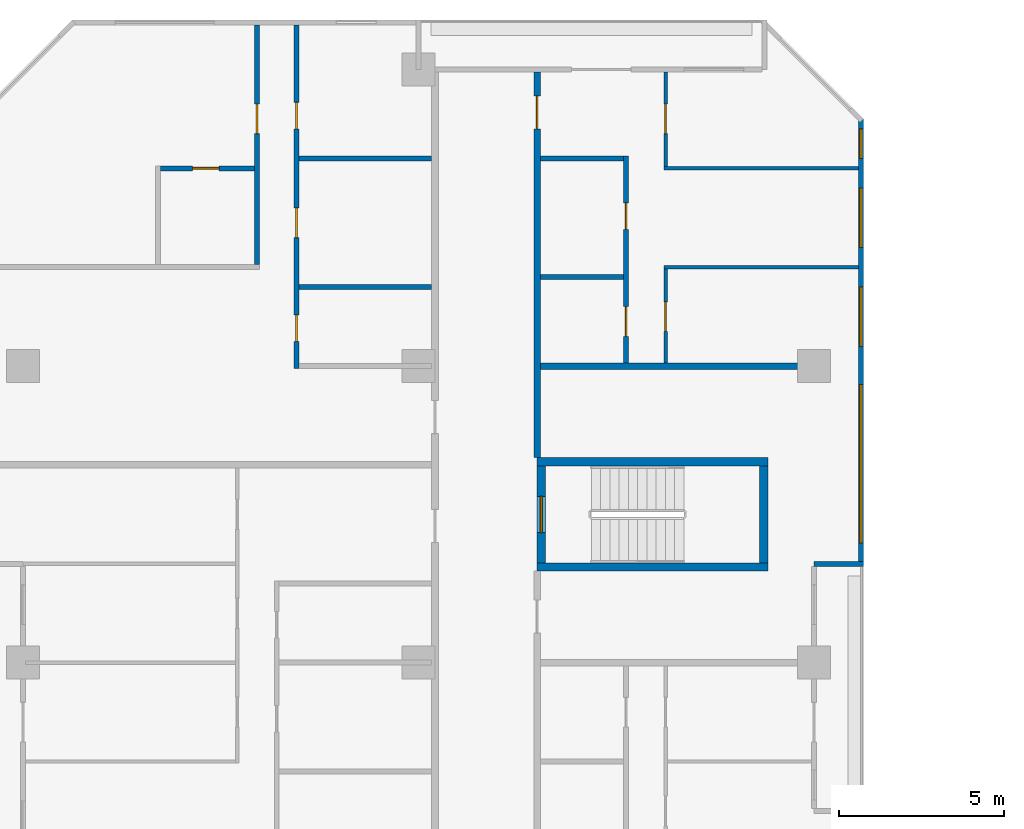
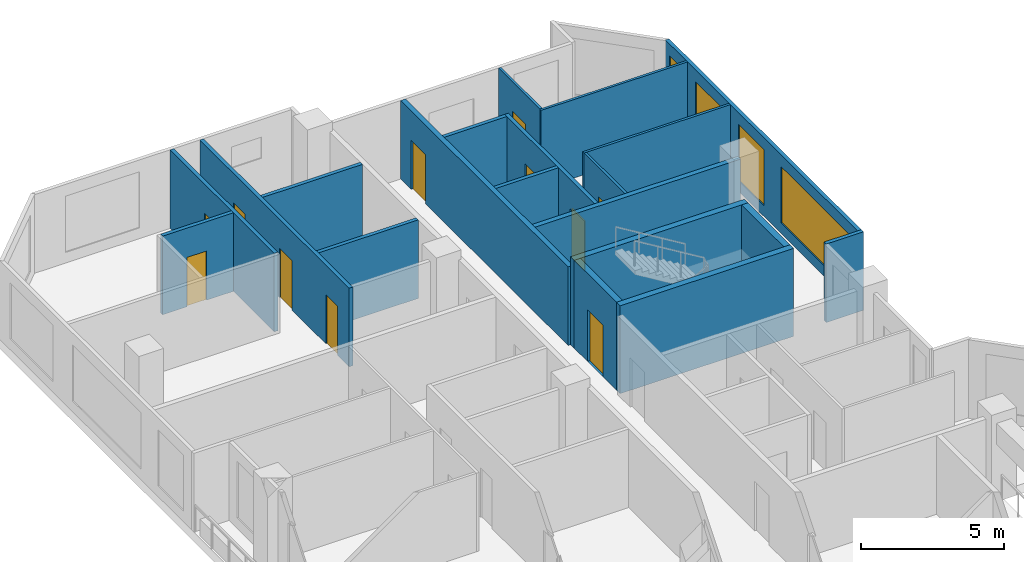
# One storey, part 11 of 15: 20 walls, 11 doors, 4 windows, 15 openings.
"""IFC4 building model written with IfcOpenShell, lengths in metres."""

from ifc_helpers import new_model, si_unit, direction, frame, frame_2d, origin, place, context, subcontext, project, spatial, rectangle, extrude, material, layer, layer_set, type_object, element, fill, save


model = new_model("IFC4")

# Units and contexts
model_context = context("Model", 3, precision=1e-05, world=origin(), true_north=direction((0.0, 1.0)))
body_context = subcontext(model_context, "Body", "Model", "MODEL_VIEW")
ifc_project = project(units=[si_unit("LENGTHUNIT", "METRE"), si_unit("AREAUNIT", "SQUARE_METRE"), si_unit("VOLUMEUNIT", "CUBIC_METRE"), si_unit("PLANEANGLEUNIT", "RADIAN"), si_unit("MASSUNIT", "GRAM", prefix="KILO")], contexts=[model_context])

# Site, building, storey
site_placement = place(None, origin())
site = spatial("IfcSite", under=ifc_project, at=site_placement, CompositionType="ELEMENT")
building_placement = place(site_placement, origin())
building = spatial("IfcBuilding", under=site, at=building_placement, Name="Chenar Terraces", CompositionType="ELEMENT")
storey_placement = place(building_placement, frame((0.0, 0.0, 118.14990234375)))
storey = spatial("IfcBuildingStorey", under=building, at=storey_placement, Name="L27", CompositionType="ELEMENT", Elevation=118.14990234375)

# Walls
ifc_material_1 = material(Name="Concrete C70/85", Category="concrete")
ifc_layer_1 = layer(ifc_material_1, 0.25)
ifc_layer_set_1 = layer_set([ifc_layer_1], Name="Concrete C70/85")
wall_type_1 = type_object("IfcWallType", Name="Core wall 250 Concrete C70/85", PredefinedType="SHEAR", material=ifc_layer_set_1)
for number, where, z_axis, x_axis, name in (
    (1, (15.60009765625, 47.89990234375, 0.0), (0.0, 0.0, 1.0), (1.0, 0.0, 0.0), "Core wall ST4_S L27"),
    (2, (15.60009765625, 51.10009765625, 0.0), (0.0, 0.0, 1.0), (1.0, 0.0, 0.0), "Core wall ST4_N L27"),
):
    element("IfcWall", number, at=place(storey_placement, frame(where, z_axis=z_axis, x_axis=x_axis)), inside=storey, type_object=wall_type_1, Name=name, PredefinedType="SHEAR", context=body_context, shape_type="SweptSolid", body=[
        extrude(rectangle(XDim=7.0, YDim=0.25, at=frame_2d((3.5, 0.0))), origin(), (0.0, 0.0, 1.0), 3.75),
    ])

# Wall, opening, door
wall_1_placement = place(storey_placement, frame((15.72509765625, 48.02490234375, 0.0), z_axis=(0.0, 0.0, 1.0), x_axis=(0.0, 1.0, 0.0)))
wall_1 = element("IfcWall", 3, at=wall_1_placement, inside=storey, type_object=wall_type_1, Name="Core wall ST4_W L27", PredefinedType="SHEAR", context=body_context, shape_type="SweptSolid", body=[
    extrude(rectangle(XDim=2.9501953125, YDim=0.25, at=frame_2d((1.47509765625, 0.0))), origin(), (0.0, 0.0, 1.0), 3.75),
])
opening_1_placement = place(wall_1_placement, frame((0.925048828125, 0.0, 0.0)))
opening_1 = element("IfcOpeningElement", 4, at=opening_1_placement, cuts=wall_1, Name="Opening DL27-C9", PredefinedType="OPENING", context=body_context, shape_type="SweptSolid", body=[
    extrude(rectangle(XDim=1.10009765625, YDim=2.199951171875, at=frame_2d((0.550048828125, 1.10009765625))), frame((0.0, 0.135009765625, 0.0), z_axis=(0.0, -1.0, 0.0), x_axis=(1.0, 0.0, 0.0)), (0.0, 0.0, 1.0), 0.27001953125),
])
ifc_material_2 = material(Name="Steel-framed fire-resisting door leaf", Category="steel")
door_type_1 = type_object("IfcDoorType", Name="Stair fire door FD60 1100 x 2200", OperationType="SINGLE_SWING_LEFT", PredefinedType="DOOR", material=ifc_material_2)
door_1_placement = place(opening_1_placement, frame((1.10009765625, 0.0, 0.0), z_axis=(0.0, 0.0, 1.0), x_axis=(-1.0, 0.0, 0.0)))
door_1 = element("IfcDoor", 5, at=door_1_placement, inside=storey, type_object=door_type_1, Name="Stair door DL27-C9", OperationType="SINGLE_SWING_RIGHT", OverallHeight=2.199951171875, OverallWidth=1.10009765625, PredefinedType="DOOR", context=body_context, shape_type="SweptSolid", body=[
    extrude(rectangle(XDim=1.10009765625, YDim=2.199951171875, at=frame_2d((0.550048828125, 1.10009765625))), frame((0.0, 0.02490234375, 0.0), z_axis=(0.0, -1.0, 0.0), x_axis=(1.0, 0.0, 0.0)), (0.0, 0.0, 1.0), 0.050048828125),
])
fill(opening_1, door_1)

# Wall
wall_2_placement = place(storey_placement, frame((22.47509765625, 48.02490234375, 0.0), z_axis=(0.0, 0.0, 1.0), x_axis=(0.0, 1.0, 0.0)))
element("IfcWall", 6, at=wall_2_placement, inside=storey, type_object=wall_type_1, Name="Core wall ST4_E L27", PredefinedType="SHEAR", context=body_context, shape_type="SweptSolid", body=[
    extrude(rectangle(XDim=2.9501953125, YDim=0.25, at=frame_2d((1.47509765625, 0.0))), origin(), (0.0, 0.0, 1.0), 3.75),
])

# Wall, opening, door
ifc_material_3 = material(Name="Gypsum board on steel studs with fire boards", Category="steel")
ifc_layer_2 = layer(ifc_material_3, 0.199951171875)
ifc_layer_set_2 = layer_set([ifc_layer_2], Name="Gypsum board on steel studs with fire boards")
wall_type_2 = type_object("IfcWallType", Name="Corridor wall 200", PredefinedType="PARTITIONING", material=ifc_layer_set_2)
wall_3_placement = place(storey_placement, frame((15.60009765625, 51.22509765625, 0.0), z_axis=(0.0, 0.0, 1.0), x_axis=(0.0, 1.0, 0.0)))
wall_3 = element("IfcWall", 7, at=wall_3_placement, inside=storey, type_object=wall_type_2, Name="Partition L27-035", PredefinedType="PARTITIONING", context=body_context, shape_type="SweptSolid", body=[
    extrude(rectangle(XDim=11.700927734375, YDim=0.199951171875, at=frame_2d((5.8505859375, 0.0))), origin(), (0.0, 0.0, 1.0), 3.35009765625),
])
opening_2_placement = place(wall_3_placement, frame((9.97509765625, 0.0, 0.0)))
opening_2 = element("IfcOpeningElement", 8, at=opening_2_placement, cuts=wall_3, Name="Opening DL27-38", PredefinedType="OPENING", context=body_context, shape_type="SweptSolid", body=[
    extrude(rectangle(XDim=1.0, YDim=2.10009765625, at=frame_2d((0.5, 1.050048828125))), frame((0.0, 0.10986328125, 0.0), z_axis=(0.0, -1.0, 0.0), x_axis=(1.0, 0.0, 0.0)), (0.0, 0.0, 1.0), 0.219970703125),
])
ifc_material_4 = material(Name="Steel-framed fire-resisting door leaf", Category="steel")
door_type_2 = type_object("IfcDoorType", Name="Fire door FD30S 1000 x 2100", OperationType="SINGLE_SWING_LEFT", PredefinedType="DOOR", material=ifc_material_4)
door_2_placement = place(opening_2_placement, frame((1.0, 0.0, 0.0), z_axis=(0.0, 0.0, 1.0), x_axis=(-1.0, 0.0, 0.0)))
door_2 = element("IfcDoor", 9, at=door_2_placement, inside=storey, type_object=door_type_2, Name="Door DL27-38", OperationType="SINGLE_SWING_LEFT", OverallHeight=2.10009765625, OverallWidth=1.0, PredefinedType="DOOR", context=body_context, shape_type="SweptSolid", body=[
    extrude(rectangle(XDim=1.0, YDim=2.10009765625, at=frame_2d((0.5, 1.050048828125))), frame((0.0, 0.02490234375, 0.0), z_axis=(0.0, -1.0, 0.0), x_axis=(1.0, 0.0, 0.0)), (0.0, 0.0, 1.0), 0.050048828125),
])
fill(opening_2, door_2)

# Wall, openings, windows
ifc_material_5 = material(Name="Aluminium framed glazing", Category="aluminium")
ifc_layer_3 = layer(ifc_material_5, 0.14990234375)
ifc_layer_set_3 = layer_set([ifc_layer_3], Name="Aluminium framed glazing")
wall_type_3 = type_object("IfcWallType", Name="Glazed flush facade wall 150", PredefinedType="SOLIDWALL", material=ifc_layer_set_3)
wall_4_placement = place(storey_placement, frame((25.425048828125, 48.074951171875, 0.0), z_axis=(0.0, 0.0, 1.0), x_axis=(0.0, 1.0, 0.0)))
wall_4 = element("IfcWall", 10, at=wall_4_placement, inside=storey, type_object=wall_type_3, Name="Glazed flush facade wall", PredefinedType="SOLIDWALL", context=body_context, shape_type="SweptSolid", body=[
    extrude(rectangle(XDim=13.425048828125, YDim=0.14990234375, at=frame_2d((6.71240234375, 0.0))), origin(), (0.0, 0.0, 1.0), 3.35009765625),
])
opening_3_placement = place(wall_4_placement, frame((0.5625, 0.0, 0.449951171875)))
opening_3 = element("IfcOpeningElement", 11, at=opening_3_placement, cuts=wall_4, Name="Opening W480x240", PredefinedType="OPENING", context=body_context, shape_type="SweptSolid", body=[
    extrude(rectangle(XDim=4.800048828125, YDim=2.39990234375, at=frame_2d((2.39990234375, 1.199951171875))), frame((0.0, 0.0849609375, 0.0), z_axis=(0.0, -1.0, 0.0), x_axis=(1.0, 0.0, 0.0)), (0.0, 0.0, 1.0), 0.169921875),
])
opening_4_placement = place(wall_4_placement, frame((6.52490234375, 0.0, 0.449951171875)))
opening_4 = element("IfcOpeningElement", 12, at=opening_4_placement, cuts=wall_4, Name="Opening W180x240", PredefinedType="OPENING", context=body_context, shape_type="SweptSolid", body=[
    extrude(rectangle(XDim=1.800048828125, YDim=2.39990234375, at=frame_2d((0.89990234375, 1.199951171875))), frame((0.0, 0.0849609375, 0.0), z_axis=(0.0, -1.0, 0.0), x_axis=(1.0, 0.0, 0.0)), (0.0, 0.0, 1.0), 0.169921875),
])
opening_5_placement = place(wall_4_placement, frame((9.52490234375, 0.0, 0.449951171875)))
opening_5 = element("IfcOpeningElement", 13, at=opening_5_placement, cuts=wall_4, Name="Opening W180x240", PredefinedType="OPENING", context=body_context, shape_type="SweptSolid", body=[
    extrude(rectangle(XDim=1.800048828125, YDim=2.39990234375, at=frame_2d((0.89990234375, 1.199951171875))), frame((0.0, 0.0849609375, 0.0), z_axis=(0.0, -1.0, 0.0), x_axis=(1.0, 0.0, 0.0)), (0.0, 0.0, 1.0), 0.169921875),
])
opening_6_placement = place(wall_4_placement, frame((12.22509765625, 0.0, 0.449951171875)))
opening_6 = element("IfcOpeningElement", 14, at=opening_6_placement, cuts=wall_4, Name="Opening W90x240", PredefinedType="OPENING", context=body_context, shape_type="SweptSolid", body=[
    extrude(rectangle(XDim=0.89990234375, YDim=2.39990234375, at=frame_2d((0.449951171875, 1.199951171875))), frame((0.0, 0.0849609375, 0.0), z_axis=(0.0, -1.0, 0.0), x_axis=(1.0, 0.0, 0.0)), (0.0, 0.0, 1.0), 0.169921875),
])
ifc_material_6 = material(Name="Low emissivity double glazing, aluminium frame", Category="aluminium")
window_type_1 = type_object("IfcWindowType", Name="Fixed light 1800 x 2400", PartitioningType="SINGLE_PANEL", PredefinedType="WINDOW", material=ifc_material_6)
window_1_placement = place(opening_4_placement, origin())
window_1 = element("IfcWindow", 15, at=window_1_placement, inside=storey, type_object=window_type_1, Name="Window", OverallHeight=2.39990234375, OverallWidth=1.800048828125, PartitioningType="SINGLE_PANEL", PredefinedType="WINDOW", context=body_context, shape_type="SweptSolid", body=[
    extrude(rectangle(XDim=1.800048828125, YDim=2.39990234375, at=frame_2d((0.89990234375, 1.199951171875))), frame((0.0, 0.030029296875, 0.0), z_axis=(0.0, -1.0, 0.0), x_axis=(1.0, 0.0, 0.0)), (0.0, 0.0, 1.0), 0.06005859375),
])
fill(opening_4, window_1)
window_2_placement = place(opening_5_placement, origin())
window_2 = element("IfcWindow", 16, at=window_2_placement, inside=storey, type_object=window_type_1, Name="Window", OverallHeight=2.39990234375, OverallWidth=1.800048828125, PartitioningType="SINGLE_PANEL", PredefinedType="WINDOW", context=body_context, shape_type="SweptSolid", body=[
    extrude(rectangle(XDim=1.800048828125, YDim=2.39990234375, at=frame_2d((0.89990234375, 1.199951171875))), frame((0.0, 0.030029296875, 0.0), z_axis=(0.0, -1.0, 0.0), x_axis=(1.0, 0.0, 0.0)), (0.0, 0.0, 1.0), 0.06005859375),
])
fill(opening_5, window_2)
ifc_material_7 = material(Name="Low emissivity double glazing, aluminium frame", Category="aluminium")
window_type_2 = type_object("IfcWindowType", Name="Fixed light 4800 x 2400", PartitioningType="SINGLE_PANEL", PredefinedType="WINDOW", material=ifc_material_7)
window_3_placement = place(opening_3_placement, origin())
window_3 = element("IfcWindow", 17, at=window_3_placement, inside=storey, type_object=window_type_2, Name="Window", OverallHeight=2.39990234375, OverallWidth=4.800048828125, PartitioningType="SINGLE_PANEL", PredefinedType="WINDOW", context=body_context, shape_type="SweptSolid", body=[
    extrude(rectangle(XDim=4.800048828125, YDim=2.39990234375, at=frame_2d((2.39990234375, 1.199951171875))), frame((0.0, 0.030029296875, 0.0), z_axis=(0.0, -1.0, 0.0), x_axis=(1.0, 0.0, 0.0)), (0.0, 0.0, 1.0), 0.06005859375),
])
fill(opening_3, window_3)
ifc_material_8 = material(Name="Low emissivity double glazing, aluminium frame", Category="aluminium")
window_type_3 = type_object("IfcWindowType", Name="Fixed light 900 x 2400", PartitioningType="SINGLE_PANEL", PredefinedType="WINDOW", material=ifc_material_8)
window_4_placement = place(opening_6_placement, origin())
window_4 = element("IfcWindow", 18, at=window_4_placement, inside=storey, type_object=window_type_3, Name="Window", OverallHeight=2.39990234375, OverallWidth=0.89990234375, PartitioningType="SINGLE_PANEL", PredefinedType="WINDOW", context=body_context, shape_type="SweptSolid", body=[
    extrude(rectangle(XDim=0.89990234375, YDim=2.39990234375, at=frame_2d((0.449951171875, 1.199951171875))), frame((0.0, 0.030029296875, 0.0), z_axis=(0.0, -1.0, 0.0), x_axis=(1.0, 0.0, 0.0)), (0.0, 0.0, 1.0), 0.06005859375),
])
fill(opening_6, window_4)

# Walls
ifc_material_9 = material(Name="Gypsum board on steel studs", Category="steel")
ifc_layer_4 = layer(ifc_material_9, 0.10009765625)
ifc_layer_set_4 = layer_set([ifc_layer_4], Name="Gypsum board on steel studs")
wall_type_4 = type_object("IfcWallType", Name="Gypsum partition 100", PredefinedType="PARTITIONING", material=ifc_layer_set_4)
for number, where, z_axis, x_axis, name in (
    (19, (19.449951171875, 57.0, 0.0), (0.0, 0.0, 1.0), (1.0, 0.0, 0.0), "Partition L27-048"),
    (20, (19.449951171875, 60.0, 0.0), (0.0, 0.0, 1.0), (1.0, 0.0, 0.0), "Partition L27-049"),
):
    element("IfcWall", number, at=place(storey_placement, frame(where, z_axis=z_axis, x_axis=x_axis)), inside=storey, type_object=wall_type_4, Name=name, PredefinedType="PARTITIONING", context=body_context, shape_type="SweptSolid", body=[
        extrude(rectangle(XDim=5.900146484375, YDim=0.10009765625, at=frame_2d((2.9501953125, 0.0))), origin(), (0.0, 0.0, 1.0), 3.35009765625),
    ])

# Wall, opening, door
wall_5_placement = place(storey_placement, frame((19.5, 54.10009765625, 0.0), z_axis=(0.0, 0.0, 1.0), x_axis=(0.0, 1.0, 0.0)))
wall_5 = element("IfcWall", 21, at=wall_5_placement, inside=storey, type_object=wall_type_4, Name="Partition L27-051", PredefinedType="PARTITIONING", context=body_context, shape_type="SweptSolid", body=[
    extrude(rectangle(XDim=2.849853515625, YDim=0.10009765625, at=frame_2d((1.4248046875, 0.0))), origin(), (0.0, 0.0, 1.0), 3.35009765625),
])
opening_7_placement = place(wall_5_placement, frame((0.949951171875, 0.0, 0.0)))
opening_7 = element("IfcOpeningElement", 22, at=opening_7_placement, cuts=wall_5, Name="Opening DL27-35", PredefinedType="OPENING", context=body_context, shape_type="SweptSolid", body=[
    extrude(rectangle(XDim=0.89990234375, YDim=2.10009765625, at=frame_2d((0.449951171875, 1.050048828125))), frame((0.0, 0.06005859375, 0.0), z_axis=(0.0, -1.0, 0.0), x_axis=(1.0, 0.0, 0.0)), (0.0, 0.0, 1.0), 0.1201171875),
])
ifc_material_10 = material(Name="Veneered timber door leaf", Category="wood")
door_type_3 = type_object("IfcDoorType", Name="Door 900 x 2100", OperationType="SINGLE_SWING_LEFT", PredefinedType="DOOR", material=ifc_material_10)
door_3_placement = place(opening_7_placement, frame((0.89990234375, 0.0, 0.0), z_axis=(0.0, 0.0, 1.0), x_axis=(-1.0, 0.0, 0.0)))
door_3 = element("IfcDoor", 23, at=door_3_placement, inside=storey, type_object=door_type_3, Name="Door DL27-35", OperationType="SINGLE_SWING_LEFT", OverallHeight=2.10009765625, OverallWidth=0.89990234375, PredefinedType="DOOR", context=body_context, shape_type="SweptSolid", body=[
    extrude(rectangle(XDim=0.89990234375, YDim=2.10009765625, at=frame_2d((0.449951171875, 1.050048828125))), frame((0.0, 0.02490234375, 0.0), z_axis=(0.0, -1.0, 0.0), x_axis=(1.0, 0.0, 0.0)), (0.0, 0.0, 1.0), 0.050048828125),
])
fill(opening_7, door_3)

wall_6_placement = place(storey_placement, frame((19.5, 60.050048828125, 0.0), z_axis=(0.0, 0.0, 1.0), x_axis=(0.0, 1.0, 0.0)))
wall_6 = element("IfcWall", 24, at=wall_6_placement, inside=storey, type_object=wall_type_4, Name="Partition L27-052", PredefinedType="PARTITIONING", context=body_context, shape_type="SweptSolid", body=[
    extrude(rectangle(XDim=2.8759765625, YDim=0.10009765625, at=frame_2d((1.43798828125, 0.0))), origin(), (0.0, 0.0, 1.0), 3.35009765625),
])
opening_8_placement = place(wall_6_placement, frame((1.0, 0.0, 0.0)))
opening_8 = element("IfcOpeningElement", 25, at=opening_8_placement, cuts=wall_6, Name="Opening DL27-36", PredefinedType="OPENING", context=body_context, shape_type="SweptSolid", body=[
    extrude(rectangle(XDim=0.89990234375, YDim=2.10009765625, at=frame_2d((0.449951171875, 1.050048828125))), frame((0.0, 0.06005859375, 0.0), z_axis=(0.0, -1.0, 0.0), x_axis=(1.0, 0.0, 0.0)), (0.0, 0.0, 1.0), 0.1201171875),
])
door_4_placement = place(opening_8_placement, frame((0.89990234375, 0.0, 0.0), z_axis=(0.0, 0.0, 1.0), x_axis=(-1.0, 0.0, 0.0)))
door_4 = element("IfcDoor", 26, at=door_4_placement, inside=storey, type_object=door_type_3, Name="Door DL27-36", OperationType="SINGLE_SWING_LEFT", OverallHeight=2.10009765625, OverallWidth=0.89990234375, PredefinedType="DOOR", context=body_context, shape_type="SweptSolid", body=[
    extrude(rectangle(XDim=0.89990234375, YDim=2.10009765625, at=frame_2d((0.449951171875, 1.050048828125))), frame((0.0, 0.02490234375, 0.0), z_axis=(0.0, -1.0, 0.0), x_axis=(1.0, 0.0, 0.0)), (0.0, 0.0, 1.0), 0.050048828125),
])
fill(opening_8, door_4)

# Walls
ifc_material_11 = material(Name="Terracotta cladding on insulated backing", Category="masonry")
ifc_layer_5 = layer(ifc_material_11, 0.14990234375)
ifc_layer_set_5 = layer_set([ifc_layer_5], Name="Terracotta cladding on insulated backing")
wall_type_5 = type_object("IfcWallType", Name="Loggia return wall 150", PredefinedType="SOLIDWALL", material=ifc_layer_set_5)
wall_7_placement = place(storey_placement, frame((25.5, 48.0, 0.0), z_axis=(0.0, 0.0, 1.0), x_axis=(-1.0, 0.0, 0.0)))
element("IfcWall", 27, at=wall_7_placement, inside=storey, type_object=wall_type_5, Name="Loggia return wall", PredefinedType="SOLIDWALL", context=body_context, shape_type="SweptSolid", body=[
    extrude(rectangle(XDim=1.5, YDim=0.14990234375, at=frame_2d((0.75, 0.0))), origin(), (0.0, 0.0, 1.0), 3.35009765625),
])
ifc_material_12 = material(Name="Twin gypsum board on steel studs with mineral wool", Category="steel")
ifc_layer_6 = layer(ifc_material_12, 0.199951171875)
ifc_layer_set_6 = layer_set([ifc_layer_6], Name="Twin gypsum board on steel studs with mineral wool")
wall_type_6 = type_object("IfcWallType", Name="Unit demising wall 200", PredefinedType="PARTITIONING", material=ifc_layer_set_6)
wall_8_placement = place(storey_placement, frame((15.699951171875, 54.0, 0.0), z_axis=(0.0, 0.0, 1.0), x_axis=(1.0, 0.0, 0.0)))
element("IfcWall", 28, at=wall_8_placement, inside=storey, type_object=wall_type_6, Name="Partition L27-042", PredefinedType="PARTITIONING", context=body_context, shape_type="SweptSolid", body=[
    extrude(rectangle(XDim=8.300048828125, YDim=0.199951171875, at=frame_2d((4.14990234375, 0.0))), origin(), (0.0, 0.0, 1.0), 3.35009765625),
])

# Wall, opening, door
ifc_material_13 = material(Name="Moisture-resistant gypsum board on steel studs", Category="steel")
ifc_layer_7 = layer(ifc_material_13, 0.14990234375)
ifc_layer_set_7 = layer_set([ifc_layer_7], Name="Moisture-resistant gypsum board on steel studs")
wall_type_7 = type_object("IfcWallType", Name="Wet-room partition 150", PredefinedType="PARTITIONING", material=ifc_layer_set_7)
wall_9_placement = place(storey_placement, frame((4.175048828125, 60.0, 0.0), z_axis=(0.0, 0.0, 1.0), x_axis=(1.0, 0.0, 0.0)))
wall_9 = element("IfcWall", 29, at=wall_9_placement, inside=storey, type_object=wall_type_7, Name="Partition L27-013", PredefinedType="PARTITIONING", context=body_context, shape_type="SweptSolid", body=[
    extrude(rectangle(XDim=2.849853515625, YDim=0.14990234375, at=frame_2d((1.4248046875, 0.0))), origin(), (0.0, 0.0, 1.0), 3.35009765625),
])
opening_9_placement = place(wall_9_placement, frame((0.97509765625, 0.0, 0.0)))
opening_9 = element("IfcOpeningElement", 30, at=opening_9_placement, cuts=wall_9, Name="Opening DL27-48", PredefinedType="OPENING", context=body_context, shape_type="SweptSolid", body=[
    extrude(rectangle(XDim=0.800048828125, YDim=2.10009765625, at=frame_2d((0.39990234375, 1.050048828125))), frame((0.0, 0.0849609375, 0.0), z_axis=(0.0, -1.0, 0.0), x_axis=(1.0, 0.0, 0.0)), (0.0, 0.0, 1.0), 0.169921875),
])
ifc_material_14 = material(Name="Veneered timber door leaf", Category="wood")
door_type_4 = type_object("IfcDoorType", Name="Door 800 x 2100", OperationType="SINGLE_SWING_LEFT", PredefinedType="DOOR", material=ifc_material_14)
door_5_placement = place(opening_9_placement, frame((0.800048828125, 0.0, 0.0), z_axis=(0.0, 0.0, 1.0), x_axis=(-1.0, 0.0, 0.0)))
door_5 = element("IfcDoor", 31, at=door_5_placement, inside=storey, type_object=door_type_4, Name="Door DL27-48", OperationType="SINGLE_SWING_RIGHT", OverallHeight=2.10009765625, OverallWidth=0.800048828125, PredefinedType="DOOR", context=body_context, shape_type="SweptSolid", body=[
    extrude(rectangle(XDim=0.800048828125, YDim=2.10009765625, at=frame_2d((0.39990234375, 1.050048828125))), frame((0.0, 0.02490234375, 0.0), z_axis=(0.0, -1.0, 0.0), x_axis=(1.0, 0.0, 0.0)), (0.0, 0.0, 1.0), 0.050048828125),
])
fill(opening_9, door_5)

wall_10_placement = place(storey_placement, frame((7.10009765625, 57.074951171875, 0.0), z_axis=(0.0, 0.0, 1.0), x_axis=(0.0, 1.0, 0.0)))
wall_10 = element("IfcWall", 32, at=wall_10_placement, inside=storey, type_object=wall_type_7, Name="Partition L27-016", PredefinedType="PARTITIONING", context=body_context, shape_type="SweptSolid", body=[
    extrude(rectangle(XDim=7.275146484375, YDim=0.14990234375, at=frame_2d((3.6376953125, 0.0))), origin(), (0.0, 0.0, 1.0), 3.35009765625),
])
opening_10_placement = place(wall_10_placement, frame((3.97509765625, 0.0, 0.0)))
opening_10 = element("IfcOpeningElement", 33, at=opening_10_placement, cuts=wall_10, Name="Opening DL27-47", PredefinedType="OPENING", context=body_context, shape_type="SweptSolid", body=[
    extrude(rectangle(XDim=0.89990234375, YDim=2.10009765625, at=frame_2d((0.449951171875, 1.050048828125))), frame((0.0, 0.0849609375, 0.0), z_axis=(0.0, -1.0, 0.0), x_axis=(1.0, 0.0, 0.0)), (0.0, 0.0, 1.0), 0.169921875),
])
door_6_placement = place(opening_10_placement, origin())
door_6 = element("IfcDoor", 34, at=door_6_placement, inside=storey, type_object=door_type_3, Name="Door DL27-47", OperationType="SINGLE_SWING_LEFT", OverallHeight=2.10009765625, OverallWidth=0.89990234375, PredefinedType="DOOR", context=body_context, shape_type="SweptSolid", body=[
    extrude(rectangle(XDim=0.89990234375, YDim=2.10009765625, at=frame_2d((0.449951171875, 1.050048828125))), frame((0.0, 0.02490234375, 0.0), z_axis=(0.0, -1.0, 0.0), x_axis=(1.0, 0.0, 0.0)), (0.0, 0.0, 1.0), 0.050048828125),
])
fill(opening_10, door_6)

# Wall, openings, doors
wall_11_placement = place(storey_placement, frame((8.300048828125, 53.925048828125, 0.0), z_axis=(0.0, 0.0, 1.0), x_axis=(0.0, 1.0, 0.0)))
wall_11 = element("IfcWall", 35, at=wall_11_placement, inside=storey, type_object=wall_type_7, Name="Partition L27-024", PredefinedType="PARTITIONING", context=body_context, shape_type="SweptSolid", body=[
    extrude(rectangle(XDim=10.425048828125, YDim=0.14990234375, at=frame_2d((5.21240234375, 0.0))), origin(), (0.0, 0.0, 1.0), 3.35009765625),
])
opening_11_placement = place(wall_11_placement, frame((0.824951171875, 0.0, 0.0)))
opening_11 = element("IfcOpeningElement", 36, at=opening_11_placement, cuts=wall_11, Name="Opening DL27-46", PredefinedType="OPENING", context=body_context, shape_type="SweptSolid", body=[
    extrude(rectangle(XDim=0.800048828125, YDim=2.10009765625, at=frame_2d((0.39990234375, 1.050048828125))), frame((0.0, 0.0849609375, 0.0), z_axis=(0.0, -1.0, 0.0), x_axis=(1.0, 0.0, 0.0)), (0.0, 0.0, 1.0), 0.169921875),
])
opening_12_placement = place(wall_11_placement, frame((3.97509765625, 0.0, 0.0)))
opening_12 = element("IfcOpeningElement", 37, at=opening_12_placement, cuts=wall_11, Name="Opening DL27-49", PredefinedType="OPENING", context=body_context, shape_type="SweptSolid", body=[
    extrude(rectangle(XDim=0.89990234375, YDim=2.10009765625, at=frame_2d((0.449951171875, 1.050048828125))), frame((0.0, 0.0849609375, 0.0), z_axis=(0.0, -1.0, 0.0), x_axis=(1.0, 0.0, 0.0)), (0.0, 0.0, 1.0), 0.169921875),
])
opening_13_placement = place(wall_11_placement, frame((7.27490234375, 0.0, 0.0)))
opening_13 = element("IfcOpeningElement", 38, at=opening_13_placement, cuts=wall_11, Name="Opening DL27-50", PredefinedType="OPENING", context=body_context, shape_type="SweptSolid", body=[
    extrude(rectangle(XDim=0.800048828125, YDim=2.10009765625, at=frame_2d((0.39990234375, 1.050048828125))), frame((0.0, 0.0849609375, 0.0), z_axis=(0.0, -1.0, 0.0), x_axis=(1.0, 0.0, 0.0)), (0.0, 0.0, 1.0), 0.169921875),
])
door_7_placement = place(opening_11_placement, frame((0.800048828125, 0.0, 0.0), z_axis=(0.0, 0.0, 1.0), x_axis=(-1.0, 0.0, 0.0)))
door_7 = element("IfcDoor", 39, at=door_7_placement, inside=storey, type_object=door_type_4, Name="Door DL27-46", OperationType="SINGLE_SWING_RIGHT", OverallHeight=2.10009765625, OverallWidth=0.800048828125, PredefinedType="DOOR", context=body_context, shape_type="SweptSolid", body=[
    extrude(rectangle(XDim=0.800048828125, YDim=2.10009765625, at=frame_2d((0.39990234375, 1.050048828125))), frame((0.0, 0.02490234375, 0.0), z_axis=(0.0, -1.0, 0.0), x_axis=(1.0, 0.0, 0.0)), (0.0, 0.0, 1.0), 0.050048828125),
])
fill(opening_11, door_7)
door_8_placement = place(opening_13_placement, frame((0.800048828125, 0.0, 0.0), z_axis=(0.0, 0.0, 1.0), x_axis=(-1.0, 0.0, 0.0)))
door_8 = element("IfcDoor", 40, at=door_8_placement, inside=storey, type_object=door_type_4, Name="Door DL27-50", OperationType="SINGLE_SWING_RIGHT", OverallHeight=2.10009765625, OverallWidth=0.800048828125, PredefinedType="DOOR", context=body_context, shape_type="SweptSolid", body=[
    extrude(rectangle(XDim=0.800048828125, YDim=2.10009765625, at=frame_2d((0.39990234375, 1.050048828125))), frame((0.0, 0.02490234375, 0.0), z_axis=(0.0, -1.0, 0.0), x_axis=(1.0, 0.0, 0.0)), (0.0, 0.0, 1.0), 0.050048828125),
])
fill(opening_13, door_8)
door_9_placement = place(opening_12_placement, frame((0.89990234375, 0.0, 0.0), z_axis=(0.0, 0.0, 1.0), x_axis=(-1.0, 0.0, 0.0)))
door_9 = element("IfcDoor", 41, at=door_9_placement, inside=storey, type_object=door_type_3, Name="Door DL27-49", OperationType="SINGLE_SWING_LEFT", OverallHeight=2.10009765625, OverallWidth=0.89990234375, PredefinedType="DOOR", context=body_context, shape_type="SweptSolid", body=[
    extrude(rectangle(XDim=0.89990234375, YDim=2.10009765625, at=frame_2d((0.449951171875, 1.050048828125))), frame((0.0, 0.02490234375, 0.0), z_axis=(0.0, -1.0, 0.0), x_axis=(1.0, 0.0, 0.0)), (0.0, 0.0, 1.0), 0.050048828125),
])
fill(opening_12, door_9)

# Walls
for number, where, z_axis, x_axis, name in (
    (42, (8.375, 56.39990234375, 0.0), (0.0, 0.0, 1.0), (1.0, 0.0, 0.0), "Partition L27-026"),
    (43, (8.375, 60.300048828125, 0.0), (0.0, 0.0, 1.0), (1.0, 0.0, 0.0), "Partition L27-027"),
):
    element("IfcWall", number, at=place(storey_placement, frame(where, z_axis=z_axis, x_axis=x_axis)), inside=storey, type_object=wall_type_7, Name=name, PredefinedType="PARTITIONING", context=body_context, shape_type="SweptSolid", body=[
        extrude(rectangle(XDim=4.02490234375, YDim=0.14990234375, at=frame_2d((2.012451171875, 0.0))), origin(), (0.0, 0.0, 1.0), 3.35009765625),
    ])
for number, where, z_axis, x_axis, name in (
    (44, (15.699951171875, 56.699951171875, 0.0), (0.0, 0.0, 1.0), (1.0, 0.0, 0.0), "Partition L27-043"),
    (45, (15.699951171875, 60.300048828125, 0.0), (0.0, 0.0, 1.0), (1.0, 0.0, 0.0), "Partition L27-044"),
):
    element("IfcWall", number, at=place(storey_placement, frame(where, z_axis=z_axis, x_axis=x_axis)), inside=storey, type_object=wall_type_7, Name=name, PredefinedType="PARTITIONING", context=body_context, shape_type="SweptSolid", body=[
        extrude(rectangle(XDim=2.525146484375, YDim=0.14990234375, at=frame_2d((1.2626953125, 0.0))), origin(), (0.0, 0.0, 1.0), 3.35009765625),
    ])

# Wall, openings, doors
wall_12_placement = place(storey_placement, frame((18.300048828125, 54.10009765625, 0.0), z_axis=(0.0, 0.0, 1.0), x_axis=(0.0, 1.0, 0.0)))
wall_12 = element("IfcWall", 46, at=wall_12_placement, inside=storey, type_object=wall_type_7, Name="Partition L27-047", PredefinedType="PARTITIONING", context=body_context, shape_type="SweptSolid", body=[
    extrude(rectangle(XDim=6.27490234375, YDim=0.14990234375, at=frame_2d((3.137451171875, 0.0))), origin(), (0.0, 0.0, 1.0), 3.35009765625),
])
opening_14_placement = place(wall_12_placement, frame((4.050048828125, 0.0, 0.0)))
opening_14 = element("IfcOpeningElement", 47, at=opening_14_placement, cuts=wall_12, Name="Opening DL27-34", PredefinedType="OPENING", context=body_context, shape_type="SweptSolid", body=[
    extrude(rectangle(XDim=0.800048828125, YDim=2.10009765625, at=frame_2d((0.39990234375, 1.050048828125))), frame((0.0, 0.0849609375, 0.0), z_axis=(0.0, -1.0, 0.0), x_axis=(1.0, 0.0, 0.0)), (0.0, 0.0, 1.0), 0.169921875),
])
opening_15_placement = place(wall_12_placement, frame((0.800048828125, 0.0, 0.0)))
opening_15 = element("IfcOpeningElement", 48, at=opening_15_placement, cuts=wall_12, Name="Opening DL27-37", PredefinedType="OPENING", context=body_context, shape_type="SweptSolid", body=[
    extrude(rectangle(XDim=0.89990234375, YDim=2.10009765625, at=frame_2d((0.449951171875, 1.050048828125))), frame((0.0, 0.0849609375, 0.0), z_axis=(0.0, -1.0, 0.0), x_axis=(1.0, 0.0, 0.0)), (0.0, 0.0, 1.0), 0.169921875),
])
door_10_placement = place(opening_14_placement, origin())
door_10 = element("IfcDoor", 49, at=door_10_placement, inside=storey, type_object=door_type_4, Name="Door DL27-34", OperationType="SINGLE_SWING_RIGHT", OverallHeight=2.10009765625, OverallWidth=0.800048828125, PredefinedType="DOOR", context=body_context, shape_type="SweptSolid", body=[
    extrude(rectangle(XDim=0.800048828125, YDim=2.10009765625, at=frame_2d((0.39990234375, 1.050048828125))), frame((0.0, 0.02490234375, 0.0), z_axis=(0.0, -1.0, 0.0), x_axis=(1.0, 0.0, 0.0)), (0.0, 0.0, 1.0), 0.050048828125),
])
fill(opening_14, door_10)
door_11_placement = place(opening_15_placement, origin())
door_11 = element("IfcDoor", 50, at=door_11_placement, inside=storey, type_object=door_type_3, Name="Door DL27-37", OperationType="SINGLE_SWING_RIGHT", OverallHeight=2.10009765625, OverallWidth=0.89990234375, PredefinedType="DOOR", context=body_context, shape_type="SweptSolid", body=[
    extrude(rectangle(XDim=0.89990234375, YDim=2.10009765625, at=frame_2d((0.449951171875, 1.050048828125))), frame((0.0, 0.02490234375, 0.0), z_axis=(0.0, -1.0, 0.0), x_axis=(1.0, 0.0, 0.0)), (0.0, 0.0, 1.0), 0.050048828125),
])
fill(opening_15, door_11)

save(model, "model.ifc")
